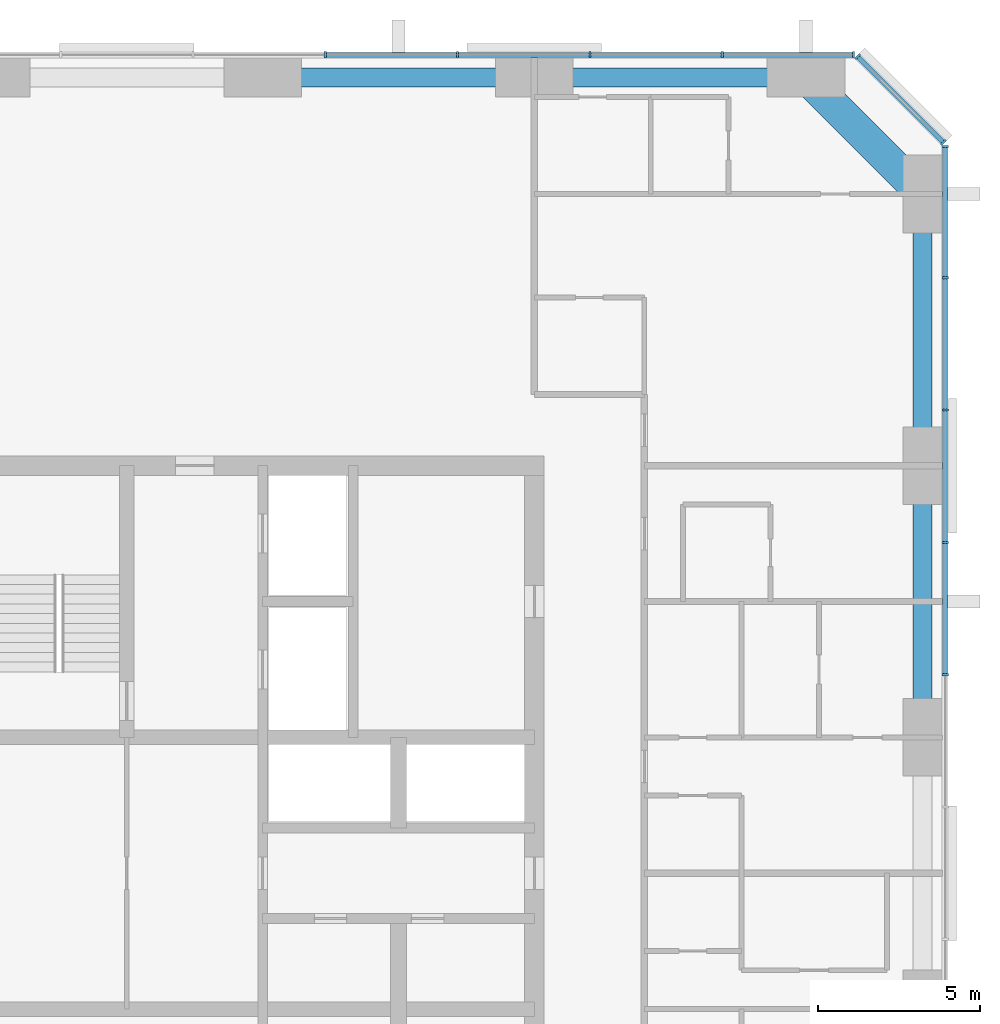
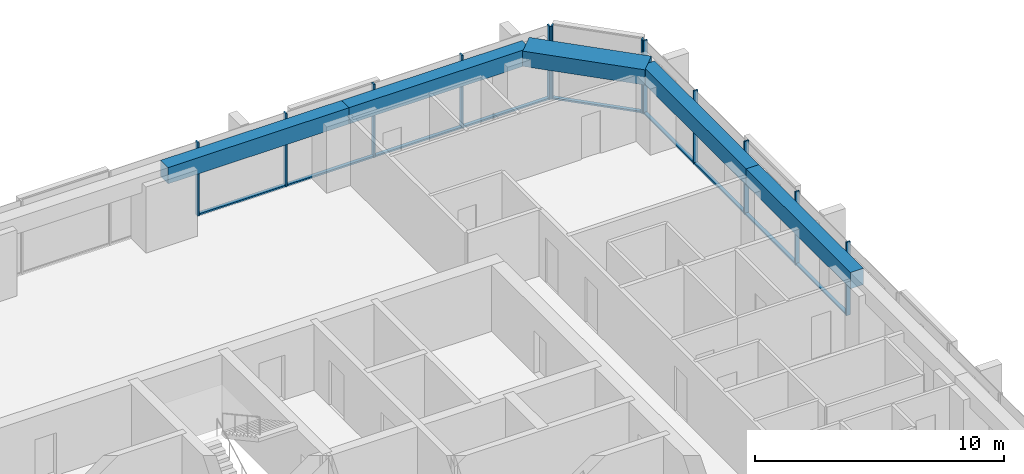
# One storey, part 6 of 13: 21 members, 5 beams, 3 elements without a shape of their own.
"""IFC4 building model written with IfcOpenShell, lengths in metres."""

from ifc_helpers import new_model, si_unit, direction, frame, origin, origin_2d, place, context, subcontext, project, spatial, rectangle, extrude, material, material_profile, profile_set, type_object, element, aggregate, save


model = new_model("IFC4")

# Units and contexts
model_context = context("Model", 3, precision=1e-05, world=origin(), true_north=direction((0.0, 1.0)))
body_context = subcontext(model_context, "Body", "Model", "MODEL_VIEW")
ifc_project = project(units=[si_unit("LENGTHUNIT", "METRE"), si_unit("AREAUNIT", "SQUARE_METRE"), si_unit("VOLUMEUNIT", "CUBIC_METRE"), si_unit("PLANEANGLEUNIT", "RADIAN"), si_unit("MASSUNIT", "GRAM", prefix="KILO")], contexts=[model_context])

# Site, building, storey
site_placement = place(None, origin())
site = spatial("IfcSite", under=ifc_project, at=site_placement, CompositionType="ELEMENT")
building_placement = place(site_placement, origin())
building = spatial("IfcBuilding", under=site, at=building_placement, Name="Dunama Terrace Hotel", CompositionType="ELEMENT")
storey_placement = place(building_placement, frame((0.0, 0.0, 195.0)))
storey = spatial("IfcBuildingStorey", under=building, at=storey_placement, Name="L50", CompositionType="ELEMENT", Elevation=195.0)

# Curtain wall, members
ifc_material_1 = material(Name="Aluminium curtain wall system", Category="aluminium")
curtain_wall_type = type_object("IfcCurtainWallType", Name="Unitised fritted glass wall CW-C", PredefinedType="NOTDEFINED", material=ifc_material_1)
curtain_wall_1_placement = place(storey_placement, origin())
curtain_wall_1 = element("IfcCurtainWall", 1, at=curtain_wall_1_placement, inside=storey, type_object=curtain_wall_type, Name="Unitised fritted glass wall CW-C L50", PredefinedType="NOTDEFINED")
ifc_material_2 = material(Name="Aluminium mullion", Category="aluminium")
ifc_material_profile_1 = material_profile(ifc_material_2, rectangle(XDim=0.070068359375, YDim=0.199951171875, at=origin_2d()), Name="CWC MULLION 70X200")
ifc_profile_set_1 = profile_set([ifc_material_profile_1], Name="Aluminium mullion")
member_type_1 = type_object("IfcMemberType", Name="CWC mullion 70x200", PredefinedType="MULLION", material=ifc_profile_set_1)
member_1_placement = place(storey_placement, frame((54.699951171875, 35.535888671875, 0.0), z_axis=(0.0, 0.0, 1.0), x_axis=(0.0, 1.0, 0.0)))
member_1 = element("IfcMember", 2, at=member_1_placement, type_object=member_type_1, Name="CWC mullion", PredefinedType="MULLION", context=body_context, shape_type="SweptSolid", body=[
    extrude(rectangle(XDim=0.070068359375, YDim=0.199951171875, at=origin_2d()), origin(), (0.0, 0.0, 1.0), 3.60009765625),
])
member_2_placement = place(storey_placement, frame((54.699951171875, 39.626953125, 0.0), z_axis=(0.0, 0.0, 1.0), x_axis=(0.0, 1.0, 0.0)))
member_2 = element("IfcMember", 3, at=member_2_placement, type_object=member_type_1, Name="CWC mullion", PredefinedType="MULLION", context=body_context, shape_type="SweptSolid", body=[
    extrude(rectangle(XDim=0.070068359375, YDim=0.199951171875, at=origin_2d()), origin(), (0.0, 0.0, 1.0), 3.60009765625),
])
member_3_placement = place(storey_placement, frame((54.699951171875, 43.718017578125, 0.0), z_axis=(0.0, 0.0, 1.0), x_axis=(0.0, 1.0, 0.0)))
member_3 = element("IfcMember", 4, at=member_3_placement, type_object=member_type_1, Name="CWC mullion", PredefinedType="MULLION", context=body_context, shape_type="SweptSolid", body=[
    extrude(rectangle(XDim=0.070068359375, YDim=0.199951171875, at=origin_2d()), origin(), (0.0, 0.0, 1.0), 3.60009765625),
])
member_4_placement = place(storey_placement, frame((54.699951171875, 47.80908203125, 0.0), z_axis=(0.0, 0.0, 1.0), x_axis=(0.0, 1.0, 0.0)))
member_4 = element("IfcMember", 5, at=member_4_placement, type_object=member_type_1, Name="CWC mullion", PredefinedType="MULLION", context=body_context, shape_type="SweptSolid", body=[
    extrude(rectangle(XDim=0.070068359375, YDim=0.199951171875, at=origin_2d()), origin(), (0.0, 0.0, 1.0), 3.60009765625),
])
member_5_placement = place(storey_placement, frame((54.699951171875, 51.864990234375, 0.0), z_axis=(0.0, 0.0, 1.0), x_axis=(0.0, 1.0, 0.0)))
member_5 = element("IfcMember", 6, at=member_5_placement, type_object=member_type_1, Name="CWC mullion", PredefinedType="MULLION", context=body_context, shape_type="SweptSolid", body=[
    extrude(rectangle(XDim=0.070068359375, YDim=0.199951171875, at=origin_2d()), origin(), (0.0, 0.0, 1.0), 3.60009765625),
])

curtain_wall_2_placement = place(storey_placement, origin())
curtain_wall_2 = element("IfcCurtainWall", 7, at=curtain_wall_2_placement, inside=storey, type_object=curtain_wall_type, Name="Unitised fritted glass wall CW-C L50", PredefinedType="NOTDEFINED")
member_6_placement = place(storey_placement, frame((54.64599609375, 51.9951171875, 0.0), z_axis=(0.0, 0.0, 1.0), x_axis=(-0.707106781187, 0.707106781187, 0.0)))
member_6 = element("IfcMember", 8, at=member_6_placement, type_object=member_type_1, Name="CWC mullion", PredefinedType="MULLION", context=body_context, shape_type="SweptSolid", body=[
    extrude(rectangle(XDim=0.070068359375, YDim=0.199951171875, at=origin_2d()), origin(), (0.0, 0.0, 1.0), 3.60009765625),
])
member_7_placement = place(storey_placement, frame((51.9951171875, 54.64599609375, 0.0), z_axis=(0.0, 0.0, 1.0), x_axis=(-0.707106781187, 0.707106781187, 0.0)))
member_7 = element("IfcMember", 9, at=member_7_placement, type_object=member_type_1, Name="CWC mullion", PredefinedType="MULLION", context=body_context, shape_type="SweptSolid", body=[
    extrude(rectangle(XDim=0.070068359375, YDim=0.199951171875, at=origin_2d()), origin(), (0.0, 0.0, 1.0), 3.60009765625),
])

curtain_wall_3_placement = place(storey_placement, origin())
curtain_wall_3 = element("IfcCurtainWall", 10, at=curtain_wall_3_placement, inside=storey, type_object=curtain_wall_type, Name="Unitised fritted glass wall CW-C L50", PredefinedType="NOTDEFINED")
member_8_placement = place(storey_placement, frame((51.864990234375, 54.699951171875, 0.0), z_axis=(0.0, 0.0, 1.0), x_axis=(-1.0, 0.0, 0.0)))
member_8 = element("IfcMember", 11, at=member_8_placement, type_object=member_type_1, Name="CWC mullion", PredefinedType="MULLION", context=body_context, shape_type="SweptSolid", body=[
    extrude(rectangle(XDim=0.070068359375, YDim=0.199951171875, at=origin_2d()), origin(), (0.0, 0.0, 1.0), 3.60009765625),
])
member_9_placement = place(storey_placement, frame((47.80908203125, 54.699951171875, 0.0), z_axis=(0.0, 0.0, 1.0), x_axis=(-1.0, 0.0, 0.0)))
member_9 = element("IfcMember", 12, at=member_9_placement, type_object=member_type_1, Name="CWC mullion", PredefinedType="MULLION", context=body_context, shape_type="SweptSolid", body=[
    extrude(rectangle(XDim=0.070068359375, YDim=0.199951171875, at=origin_2d()), origin(), (0.0, 0.0, 1.0), 3.60009765625),
])
member_10_placement = place(storey_placement, frame((43.718017578125, 54.699951171875, 0.0), z_axis=(0.0, 0.0, 1.0), x_axis=(-1.0, 0.0, 0.0)))
member_10 = element("IfcMember", 13, at=member_10_placement, type_object=member_type_1, Name="CWC mullion", PredefinedType="MULLION", context=body_context, shape_type="SweptSolid", body=[
    extrude(rectangle(XDim=0.070068359375, YDim=0.199951171875, at=origin_2d()), origin(), (0.0, 0.0, 1.0), 3.60009765625),
])
member_11_placement = place(storey_placement, frame((39.626953125, 54.699951171875, 0.0), z_axis=(0.0, 0.0, 1.0), x_axis=(-1.0, 0.0, 0.0)))
member_11 = element("IfcMember", 14, at=member_11_placement, type_object=member_type_1, Name="CWC mullion", PredefinedType="MULLION", context=body_context, shape_type="SweptSolid", body=[
    extrude(rectangle(XDim=0.070068359375, YDim=0.199951171875, at=origin_2d()), origin(), (0.0, 0.0, 1.0), 3.60009765625),
])
member_12_placement = place(storey_placement, frame((35.535888671875, 54.699951171875, 0.0), z_axis=(0.0, 0.0, 1.0), x_axis=(-1.0, 0.0, 0.0)))
member_12 = element("IfcMember", 15, at=member_12_placement, type_object=member_type_1, Name="CWC mullion", PredefinedType="MULLION", context=body_context, shape_type="SweptSolid", body=[
    extrude(rectangle(XDim=0.070068359375, YDim=0.199951171875, at=origin_2d()), origin(), (0.0, 0.0, 1.0), 3.60009765625),
])

# Member
ifc_material_3 = material(Name="Aluminium transom", Category="aluminium")
ifc_material_profile_2 = material_profile(ifc_material_3, rectangle(XDim=0.159912109375, YDim=0.080078125, at=origin_2d()), Name="CWC TRANSOM 160X80")
ifc_profile_set_2 = profile_set([ifc_material_profile_2], Name="Aluminium transom")
member_type_2 = type_object("IfcMemberType", Name="CWC transom 160x80", PredefinedType="USERDEFINED", material=ifc_profile_set_2)
member_13_placement = place(storey_placement, frame((54.699951171875, 35.571044921875, 0.0400390625), z_axis=(0.0, 1.0, 0.0), x_axis=(-1.0, 0.0, 0.0)))
member_13 = element("IfcMember", 16, at=member_13_placement, type_object=member_type_2, Name="CWC transom", ObjectType="TRANSOM", PredefinedType="USERDEFINED", context=body_context, shape_type="SweptSolid", body=[
    extrude(rectangle(XDim=0.159912109375, YDim=0.080078125, at=origin_2d()), origin(), (0.0, 0.0, 1.0), 4.02099609375),
])

member_14_placement = place(storey_placement, frame((54.699951171875, 39.662109375, 0.0400390625), z_axis=(0.0, 1.0, 0.0), x_axis=(-1.0, 0.0, 0.0)))
member_14 = element("IfcMember", 17, at=member_14_placement, type_object=member_type_2, Name="CWC transom", ObjectType="TRANSOM", PredefinedType="USERDEFINED", context=body_context, shape_type="SweptSolid", body=[
    extrude(rectangle(XDim=0.159912109375, YDim=0.080078125, at=origin_2d()), origin(), (0.0, 0.0, 1.0), 4.02099609375),
])

member_15_placement = place(storey_placement, frame((54.699951171875, 43.7529296875, 0.0400390625), z_axis=(0.0, 1.0, 0.0), x_axis=(-1.0, 0.0, 0.0)))
member_15 = element("IfcMember", 18, at=member_15_placement, type_object=member_type_2, Name="CWC transom", ObjectType="TRANSOM", PredefinedType="USERDEFINED", context=body_context, shape_type="SweptSolid", body=[
    extrude(rectangle(XDim=0.159912109375, YDim=0.080078125, at=origin_2d()), origin(), (0.0, 0.0, 1.0), 4.02099609375),
])

member_16_placement = place(storey_placement, frame((54.699951171875, 47.843994140625, 0.0400390625), z_axis=(0.0, 1.0, 0.0), x_axis=(-1.0, 0.0, 0.0)))
member_16 = element("IfcMember", 19, at=member_16_placement, type_object=member_type_2, Name="CWC transom", ObjectType="TRANSOM", PredefinedType="USERDEFINED", context=body_context, shape_type="SweptSolid", body=[
    extrude(rectangle(XDim=0.159912109375, YDim=0.080078125, at=origin_2d()), origin(), (0.0, 0.0, 1.0), 3.986083984375),
])

aggregate(curtain_wall_1, [member_1, member_2, member_3, member_4, member_5, member_13, member_14, member_15, member_16])

member_17_placement = place(storey_placement, frame((54.62109375, 52.02001953125, 0.0400390625), z_axis=(-0.707106781187, 0.707106781187, 0.0), x_axis=(-0.707106781187, -0.707106781187, 0.0)))
member_17 = element("IfcMember", 20, at=member_17_placement, type_object=member_type_2, Name="CWC transom", ObjectType="TRANSOM", PredefinedType="USERDEFINED", context=body_context, shape_type="SweptSolid", body=[
    extrude(rectangle(XDim=0.159912109375, YDim=0.080078125, at=origin_2d()), origin(), (0.0, 0.0, 1.0), 3.678466796875),
])

aggregate(curtain_wall_2, [member_6, member_7, member_17])

member_18_placement = place(storey_placement, frame((51.830078125, 54.699951171875, 0.0400390625), z_axis=(-1.0, 0.0, 0.0), x_axis=(0.0, -1.0, 0.0)))
member_18 = element("IfcMember", 21, at=member_18_placement, type_object=member_type_2, Name="CWC transom", ObjectType="TRANSOM", PredefinedType="USERDEFINED", context=body_context, shape_type="SweptSolid", body=[
    extrude(rectangle(XDim=0.159912109375, YDim=0.080078125, at=origin_2d()), origin(), (0.0, 0.0, 1.0), 3.986083984375),
])

member_19_placement = place(storey_placement, frame((47.77392578125, 54.699951171875, 0.0400390625), z_axis=(-1.0, 0.0, 0.0), x_axis=(0.0, -1.0, 0.0)))
member_19 = element("IfcMember", 22, at=member_19_placement, type_object=member_type_2, Name="CWC transom", ObjectType="TRANSOM", PredefinedType="USERDEFINED", context=body_context, shape_type="SweptSolid", body=[
    extrude(rectangle(XDim=0.159912109375, YDim=0.080078125, at=origin_2d()), origin(), (0.0, 0.0, 1.0), 4.02099609375),
])

member_20_placement = place(storey_placement, frame((43.68310546875, 54.699951171875, 0.0400390625), z_axis=(-1.0, 0.0, 0.0), x_axis=(0.0, -1.0, 0.0)))
member_20 = element("IfcMember", 23, at=member_20_placement, type_object=member_type_2, Name="CWC transom", ObjectType="TRANSOM", PredefinedType="USERDEFINED", context=body_context, shape_type="SweptSolid", body=[
    extrude(rectangle(XDim=0.159912109375, YDim=0.080078125, at=origin_2d()), origin(), (0.0, 0.0, 1.0), 4.02099609375),
])

member_21_placement = place(storey_placement, frame((39.592041015625, 54.699951171875, 0.0400390625), z_axis=(-1.0, 0.0, 0.0), x_axis=(0.0, -1.0, 0.0)))
member_21 = element("IfcMember", 24, at=member_21_placement, type_object=member_type_2, Name="CWC transom", ObjectType="TRANSOM", PredefinedType="USERDEFINED", context=body_context, shape_type="SweptSolid", body=[
    extrude(rectangle(XDim=0.159912109375, YDim=0.080078125, at=origin_2d()), origin(), (0.0, 0.0, 1.0), 4.02099609375),
])

aggregate(curtain_wall_3, [member_8, member_9, member_10, member_11, member_12, member_18, member_19, member_20, member_21])

# Beams
ifc_material_4 = material(Name="Concrete C50/60", Category="concrete")
ifc_material_profile_3 = material_profile(ifc_material_4, rectangle(XDim=1.0, YDim=0.75, at=origin_2d()), Name="RC 1000x750")
ifc_profile_set_3 = profile_set([ifc_material_profile_3], Name="Concrete C50/60")
beam_type_1 = type_object("IfcBeamType", Name="Edge beam RC 1000x750", PredefinedType="SPANDREL", material=ifc_profile_set_3)
beam_placement = place(storey_placement, frame((50.39990234375, 54.0, 3.22509765625), z_axis=(0.707106781187, -0.707106781187, 0.0), x_axis=(0.707106781187, 0.707106781187, 0.0)))
element("IfcBeam", 25, at=beam_placement, inside=storey, type_object=beam_type_1, Name="Corner edge beam under L51", PredefinedType="SPANDREL", context=body_context, shape_type="SweptSolid", body=[
    extrude(rectangle(XDim=1.0, YDim=0.75, at=origin_2d()), origin(), (0.0, 0.0, 1.0), 5.09130859375),
])
ifc_material_5 = material(Name="Concrete C40/50", Category="concrete")
ifc_material_profile_4 = material_profile(ifc_material_5, rectangle(XDim=0.60009765625, YDim=0.800048828125, at=origin_2d()), Name="RC 600x800")
ifc_profile_set_4 = profile_set([ifc_material_profile_4], Name="Concrete C40/50")
beam_type_2 = type_object("IfcBeamType", Name="Edge beam RC 600x800", PredefinedType="SPANDREL", material=ifc_profile_set_4)
for number, where, z_axis, x_axis, name in (
    (26, (54.0, 33.60009765625, 3.199951171875), (0.0, 1.0, 0.0), (-1.0, 0.0, 0.0), "Edge beam under L51"),
    (27, (54.0, 42.0, 3.199951171875), (0.0, 1.0, 0.0), (-1.0, 0.0, 0.0), "Edge beam under L51"),
    (28, (33.60009765625, 54.0, 3.199951171875), (1.0, 0.0, 0.0), (0.0, 1.0, 0.0), "Edge beam under L51"),
    (29, (42.0, 54.0, 3.199951171875), (1.0, 0.0, 0.0), (0.0, 1.0, 0.0), "Edge beam under L51"),
):
    element("IfcBeam", number, at=place(storey_placement, frame(where, z_axis=z_axis, x_axis=x_axis)), inside=storey, type_object=beam_type_2, Name=name, PredefinedType="SPANDREL", context=body_context, shape_type="SweptSolid", body=[
        extrude(rectangle(XDim=0.60009765625, YDim=0.800048828125, at=origin_2d()), origin(), (0.0, 0.0, 1.0), 8.39990234375),
    ])

save(model, "model.ifc")
